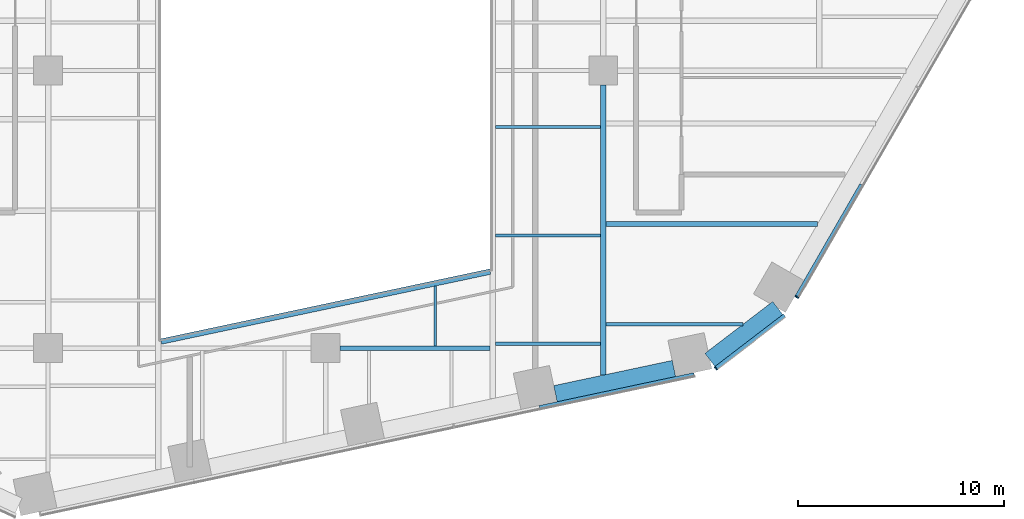
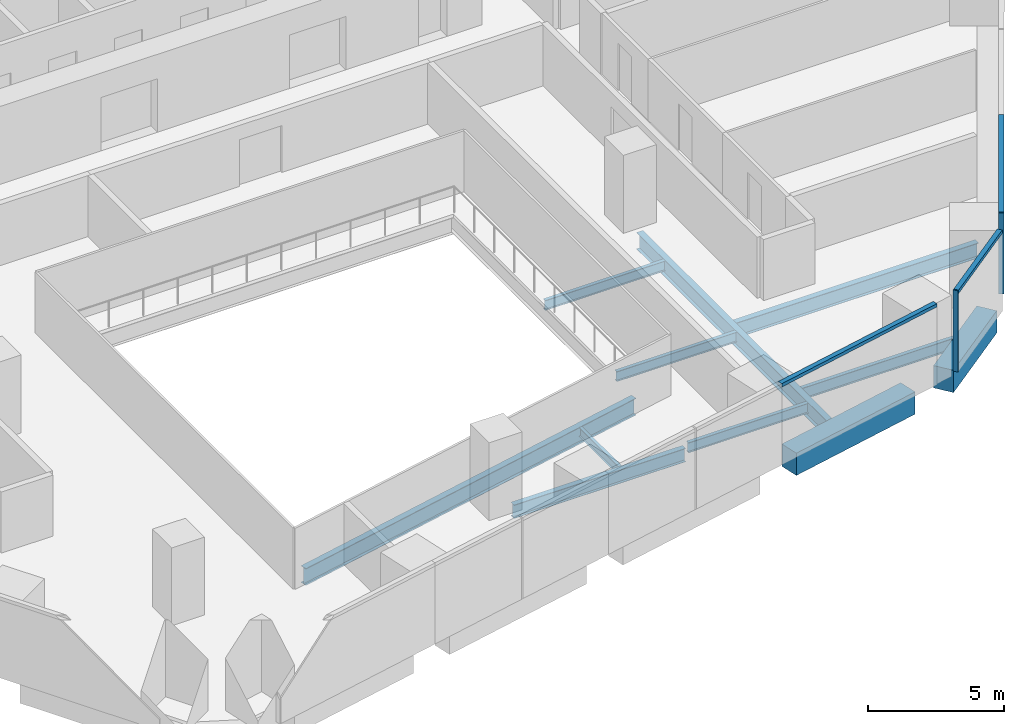
# One storey, part 5 of 20: 11 beams, 5 members, 3 elements without a shape of their own.
"""IFC4 building model written with IfcOpenShell, lengths in metres."""

from ifc_helpers import new_model, si_unit, direction, frame, origin, origin_2d, place, context, subcontext, project, spatial, rectangle, i_section, extrude, material, layer, layer_set, material_profile, profile_set, type_object, element, aggregate, save


model = new_model("IFC4")

# Units and contexts
model_context = context("Model", 3, precision=1e-05, world=origin(), true_north=direction((0.0, 1.0)))
body_context = subcontext(model_context, "Body", "Model", "MODEL_VIEW")
ifc_project = project(units=[si_unit("LENGTHUNIT", "METRE"), si_unit("AREAUNIT", "SQUARE_METRE"), si_unit("VOLUMEUNIT", "CUBIC_METRE"), si_unit("PLANEANGLEUNIT", "RADIAN"), si_unit("MASSUNIT", "GRAM", prefix="KILO")], contexts=[model_context])

# Site, building, storey
site_placement = place(None, origin())
site = spatial("IfcSite", under=ifc_project, at=site_placement, CompositionType="ELEMENT")
building_placement = place(site_placement, origin())
building = spatial("IfcBuilding", under=site, at=building_placement, Name="Isthmus Gate Tower", CompositionType="ELEMENT")
storey_placement = place(building_placement, frame((0.0, 0.0, 65.199951171875)))
storey = spatial("IfcBuildingStorey", under=building, at=storey_placement, Name="L14", CompositionType="ELEMENT", Elevation=65.199951171875)

# Curtain wall, member
ifc_material_1 = material(Name="Aluminium, pale champagne anodised", Category="aluminium")
ifc_layer = layer(ifc_material_1, 0.199951171875)
ifc_layer_set = layer_set([ifc_layer], Name="CW-1 UNITISED CURTAIN WALL 200 DEEP")
curtain_wall_type = type_object("IfcCurtainWallType", Name="CW-1 UNITISED CURTAIN WALL 200 DEEP", PredefinedType="NOTDEFINED", material=ifc_layer_set)
curtain_wall_1_placement = place(storey_placement, origin())
curtain_wall_1 = element("IfcCurtainWall", 1, at=curtain_wall_1_placement, inside=storey, type_object=curtain_wall_type, Name="CW-1 S-SE L14", PredefinedType="NOTDEFINED")
ifc_material_2 = material(Name="Aluminium, pale champagne anodised", Category="aluminium")
ifc_material_profile_1 = material_profile(ifc_material_2, rectangle(XDim=0.06005859375, YDim=0.199951171875, at=origin_2d()), Name="60x200")
ifc_profile_set_1 = profile_set([ifc_material_profile_1], Name="Aluminium, pale champagne anodised")
member_type_1 = type_object("IfcMemberType", Name="CW-1 MULLION 60 X 200", PredefinedType="MULLION", material=ifc_profile_set_1)
member_1_placement = place(storey_placement, frame((18.978759765625, -27.982421875, 0.0), z_axis=(0.0, 0.0, 1.0), x_axis=(0.794188594387, 0.607671355706, 0.0)))
member_1 = element("IfcMember", 2, at=member_1_placement, type_object=member_type_1, Name="CW-1 mullion", PredefinedType="MULLION", context=body_context, shape_type="SweptSolid", body=[
    extrude(rectangle(XDim=0.06005859375, YDim=0.199951171875, at=origin_2d()), origin(), (0.0, 0.0, 1.0), 3.650146484375),
])

curtain_wall_2_placement = place(storey_placement, origin())
curtain_wall_2 = element("IfcCurtainWall", 3, at=curtain_wall_2_placement, inside=storey, type_object=curtain_wall_type, Name="CW-1 SE L14", PredefinedType="NOTDEFINED")
member_2_placement = place(storey_placement, frame((22.91357421875, -24.5126953125, 0.0), z_axis=(0.0, 0.0, 1.0), x_axis=(0.5, 0.866025403784, 0.0)))
member_2 = element("IfcMember", 4, at=member_2_placement, type_object=member_type_1, Name="CW-1 mullion", PredefinedType="MULLION", context=body_context, shape_type="SweptSolid", body=[
    extrude(rectangle(XDim=0.06005859375, YDim=0.199951171875, at=origin_2d()), origin(), (0.0, 0.0, 1.0), 3.650146484375),
])

curtain_wall_3_placement = place(storey_placement, origin())
curtain_wall_3 = element("IfcCurtainWall", 5, at=curtain_wall_3_placement, inside=storey, type_object=curtain_wall_type, Name="CW-1 S L14", PredefinedType="NOTDEFINED")
ifc_material_3 = material(Name="Aluminium, pale champagne anodised", Category="aluminium")
ifc_material_profile_2 = material_profile(ifc_material_3, rectangle(XDim=0.199951171875, YDim=0.14990234375, at=origin_2d()), Name="200x150")
ifc_profile_set_2 = profile_set([ifc_material_profile_2], Name="Aluminium, pale champagne anodised")
member_type_2 = type_object("IfcMemberType", Name="CW-1 TRANSOM 200 X 150", PredefinedType="USERDEFINED", material=ifc_profile_set_2)
member_3_placement = place(storey_placement, frame((10.400146484375, -29.8916015625, 3.574951171875), z_axis=(0.978149085817, 0.207904703929, 0.0), x_axis=(-0.207904703929, 0.978149085817, 0.0)))
member_3 = element("IfcMember", 6, at=member_3_placement, type_object=member_type_2, Name="CW-1 transom", ObjectType="TRANSOM", PredefinedType="USERDEFINED", context=body_context, shape_type="SweptSolid", body=[
    extrude(rectangle(XDim=0.199951171875, YDim=0.14990234375, at=origin_2d()), origin(), (0.0, 0.0, 1.0), 7.689208984375),
])
aggregate(curtain_wall_3, [member_3])

# Member
member_4_placement = place(storey_placement, frame((19.002685546875, -27.96435546875, 3.574951171875), z_axis=(0.794175498212, 0.607688471209, 0.0), x_axis=(-0.607688471209, 0.794175498212, 0.0)))
member_4 = element("IfcMember", 7, at=member_4_placement, type_object=member_type_2, Name="CW-1 transom", ObjectType="TRANSOM", PredefinedType="USERDEFINED", context=body_context, shape_type="SweptSolid", body=[
    extrude(rectangle(XDim=0.199951171875, YDim=0.14990234375, at=origin_2d()), origin(), (0.0, 0.0, 1.0), 4.181396484375),
])

aggregate(curtain_wall_1, [member_1, member_4])

member_5_placement = place(storey_placement, frame((22.928466796875, -24.486572265625, 3.574951171875), z_axis=(0.50002426866, 0.866011391814, 0.0), x_axis=(-0.866011391814, 0.50002426866, 0.0)))
member_5 = element("IfcMember", 8, at=member_5_placement, type_object=member_type_2, Name="CW-1 transom", ObjectType="TRANSOM", PredefinedType="USERDEFINED", context=body_context, shape_type="SweptSolid", body=[
    extrude(rectangle(XDim=0.199951171875, YDim=0.14990234375, at=origin_2d()), origin(), (0.0, 0.0, 1.0), 6.278564453125),
])

aggregate(curtain_wall_2, [member_2, member_5])

# Beams
ifc_material_4 = material(Name="Concrete f'c 70 MPa", Category="concrete")
ifc_material_profile_3 = material_profile(ifc_material_4, rectangle(XDim=0.800048828125, YDim=1.0, at=origin_2d()), Name="RC 800X1000")
ifc_profile_set_3 = profile_set([ifc_material_profile_3], Name="Concrete f'c 70 MPa")
beam_type_1 = type_object("IfcBeamType", Name="RC SPANDREL 800 X 1000", PredefinedType="SPANDREL", material=ifc_profile_set_3)
beam_1_placement = place(storey_placement, frame((21.98681640625, -25.051513671875, -0.5), z_axis=(-0.794205941875, -0.607648682949, 0.0), x_axis=(0.607648682949, -0.794205941875, 0.0)))
element("IfcBeam", 9, at=beam_1_placement, inside=storey, type_object=beam_type_1, Name="str-spandrel-L14-09", PredefinedType="SPANDREL", context=body_context, shape_type="SweptSolid", body=[
    extrude(rectangle(XDim=0.800048828125, YDim=1.0, at=origin_2d()), origin(), (0.0, 0.0, 1.0), 4.15234375),
])
beam_2_placement = place(storey_placement, frame((16.937255859375, -27.990966796875, -0.5), z_axis=(-0.97815168619, -0.207892469327, 0.0), x_axis=(0.207892469327, -0.97815168619, 0.0)))
element("IfcBeam", 10, at=beam_2_placement, inside=storey, type_object=beam_type_1, Name="str-spandrel-L14-10", PredefinedType="SPANDREL", context=body_context, shape_type="SweptSolid", body=[
    extrude(rectangle(XDim=0.800048828125, YDim=1.0, at=origin_2d()), origin(), (0.0, 0.0, 1.0), 5.889404296875),
])
ifc_material_5 = material(Name="Structural steel ASTM A992 Gr 50", Category="steel")
ifc_material_profile_4 = material_profile(ifc_material_5, i_section(OverallWidth=0.1396484375, OverallDepth=0.4033203125, WebThickness=0.00634765625, FlangeThickness=0.010986328125, at=origin_2d()), Name="W16X31")
ifc_profile_set_4 = profile_set([ifc_material_profile_4], Name="Structural steel ASTM A992 Gr 50")
beam_type_2 = type_object("IfcBeamType", Name="STEEL FLOOR BEAM W16X31", PredefinedType="JOIST", material=ifc_profile_set_4)
beam_3_placement = place(storey_placement, frame((5.333251953125, -26.8857421875, -0.3515625), z_axis=(0.0, 1.0, 0.0), x_axis=(-1.0, 0.0, 0.0)))
element("IfcBeam", 11, at=beam_3_placement, inside=storey, type_object=beam_type_2, Name="str-beam-L14-17-00", PredefinedType="JOIST", context=body_context, shape_type="SweptSolid", body=[
    extrude(i_section(OverallWidth=0.1396484375, OverallDepth=0.4033203125, WebThickness=0.00634765625, FlangeThickness=0.010986328125, at=origin_2d()), origin(), (0.0, 0.0, 1.0), 2.903076171875),
])
ifc_material_6 = material(Name="Structural steel ASTM A992 Gr 50", Category="steel")
ifc_material_profile_5 = material_profile(ifc_material_6, i_section(OverallWidth=0.15234375, OverallDepth=0.45068359375, WebThickness=0.0078125, FlangeThickness=0.010986328125, at=origin_2d()), Name="W18X35")
ifc_profile_set_5 = profile_set([ifc_material_profile_5], Name="Structural steel ASTM A992 Gr 50")
beam_type_3 = type_object("IfcBeamType", Name="STEEL FLOOR BEAM W18X35", PredefinedType="JOIST", material=ifc_profile_set_5)
for number, where, z_axis, x_axis, name in (
    (12, (8.263427734375, -26.788818359375, -0.375244140625), (1.0, 0.0, 0.0), (0.0, 1.0, 0.0), "str-beam-L14-22-00"),
    (13, (8.263427734375, -21.51513671875, -0.375244140625), (1.0, 0.0, 0.0), (0.0, 1.0, 0.0), "str-beam-L14-22-01"),
    (14, (8.263427734375, -16.241455078125, -0.375244140625), (1.0, 0.0, 0.0), (0.0, 1.0, 0.0), "str-beam-L14-22-02"),
):
    element("IfcBeam", number, at=place(storey_placement, frame(where, z_axis=z_axis, x_axis=x_axis)), inside=storey, type_object=beam_type_3, Name=name, PredefinedType="JOIST", context=body_context, shape_type="SweptSolid", body=[
        extrude(i_section(OverallWidth=0.15234375, OverallDepth=0.45068359375, WebThickness=0.0078125, FlangeThickness=0.010986328125, at=origin_2d()), origin(), (0.0, 0.0, 1.0), 5.103271484375),
    ])
ifc_material_7 = material(Name="Structural steel ASTM A992 Gr 50", Category="steel")
ifc_material_profile_6 = material_profile(ifc_material_7, i_section(OverallWidth=0.1650390625, OverallDepth=0.52392578125, WebThickness=0.009521484375, FlangeThickness=0.010986328125, at=origin_2d()), Name="W21X44")
ifc_profile_set_6 = profile_set([ifc_material_profile_6], Name="Structural steel ASTM A992 Gr 50")
beam_type_4 = type_object("IfcBeamType", Name="STEEL FLOOR BEAM W21X44", PredefinedType="JOIST", material=ifc_profile_set_6)
beam_4_placement = place(storey_placement, frame((13.63330078125, -25.842529296875, -0.411865234375), z_axis=(1.0, 0.0, 0.0), x_axis=(0.0, 1.0, 0.0)))
element("IfcBeam", 15, at=beam_4_placement, inside=storey, type_object=beam_type_4, Name="str-beam-L14-28-00", PredefinedType="JOIST", context=body_context, shape_type="SweptSolid", body=[
    extrude(i_section(OverallWidth=0.1650390625, OverallDepth=0.52392578125, WebThickness=0.009521484375, FlangeThickness=0.010986328125, at=origin_2d()), origin(), (0.0, 0.0, 1.0), 6.661376953125),
])
ifc_material_8 = material(Name="Structural steel ASTM A992 Gr 50", Category="steel")
ifc_material_profile_7 = material_profile(ifc_material_8, i_section(OverallWidth=0.25390625, OverallDepth=0.679443359375, WebThickness=0.010986328125, FlangeThickness=0.015869140625, at=origin_2d()), Name="W27X84")
ifc_profile_set_7 = profile_set([ifc_material_profile_7], Name="Structural steel ASTM A992 Gr 50")
beam_type_5 = type_object("IfcBeamType", Name="STEEL FLOOR BEAM W27X84", PredefinedType="JOIST", material=ifc_profile_set_7)
beam_5_placement = place(storey_placement, frame((13.63330078125, -20.958740234375, -0.48974609375), z_axis=(1.0, 0.0, 0.0), x_axis=(0.0, 1.0, 0.0)))
element("IfcBeam", 16, at=beam_5_placement, inside=storey, type_object=beam_type_5, Name="str-beam-L14-28-01", PredefinedType="JOIST", context=body_context, shape_type="SweptSolid", body=[
    extrude(i_section(OverallWidth=0.25390625, OverallDepth=0.679443359375, WebThickness=0.010986328125, FlangeThickness=0.015869140625, at=origin_2d()), origin(), (0.0, 0.0, 1.0), 10.292724609375),
])
ifc_material_9 = material(Name="Structural steel ASTM A992 Gr 50", Category="steel")
ifc_material_profile_8 = material_profile(ifc_material_9, i_section(OverallWidth=0.228515625, OverallDepth=0.603271484375, WebThickness=0.010986328125, FlangeThickness=0.014404296875, at=origin_2d()), Name="W24X68")
ifc_profile_set_8 = profile_set([ifc_material_profile_8], Name="Structural steel ASTM A992 Gr 50")
beam_type_6 = type_object("IfcBeamType", Name="STEEL GIRDER W24X68", PredefinedType="BEAM", material=ifc_profile_set_8)
beam_6_placement = place(storey_placement, frame((0.699951171875, -27.0, -0.45166015625), z_axis=(1.0, 0.0, 0.0), x_axis=(0.0, 1.0, 0.0)))
element("IfcBeam", 17, at=beam_6_placement, inside=storey, type_object=beam_type_6, Name="str-girder-L14-04", PredefinedType="BEAM", context=body_context, shape_type="SweptSolid", body=[
    extrude(i_section(OverallWidth=0.228515625, OverallDepth=0.603271484375, WebThickness=0.010986328125, FlangeThickness=0.014404296875, at=origin_2d()), origin(), (0.0, 0.0, 1.0), 7.300048828125),
])
ifc_material_10 = material(Name="Structural steel ASTM A992 Gr 50", Category="steel")
ifc_material_profile_9 = material_profile(ifc_material_10, i_section(OverallWidth=0.2666015625, OverallDepth=0.7587890625, WebThickness=0.014404296875, FlangeThickness=0.01904296875, at=origin_2d()), Name="W30X108")
ifc_profile_set_9 = profile_set([ifc_material_profile_9], Name="Structural steel ASTM A992 Gr 50")
beam_type_7 = type_object("IfcBeamType", Name="STEEL GIRDER W30X108", PredefinedType="BEAM", material=ifc_profile_set_9)
beam_7_placement = place(storey_placement, frame((13.5, -28.3125, -0.529296875), z_axis=(0.0, 1.0, 0.0), x_axis=(-1.0, 0.0, 0.0)))
element("IfcBeam", 18, at=beam_7_placement, inside=storey, type_object=beam_type_7, Name="str-girder-L14-31", PredefinedType="BEAM", context=body_context, shape_type="SweptSolid", body=[
    extrude(i_section(OverallWidth=0.2666015625, OverallDepth=0.7587890625, WebThickness=0.014404296875, FlangeThickness=0.01904296875, at=origin_2d()), origin(), (0.0, 0.0, 1.0), 14.112548828125),
])
ifc_material_11 = material(Name="Structural steel ASTM A992 Gr 50", Category="steel")
ifc_material_profile_10 = material_profile(ifc_material_11, i_section(OverallWidth=0.2666015625, OverallDepth=0.7587890625, WebThickness=0.014404296875, FlangeThickness=0.01904296875, at=origin_2d()), Name="W30X108")
ifc_profile_set_10 = profile_set([ifc_material_profile_10], Name="Structural steel ASTM A992 Gr 50")
beam_type_8 = type_object("IfcBeamType", Name="STEEL TRIMMER W30X108", PredefinedType="BEAM", material=ifc_profile_set_10)
beam_8_placement = place(storey_placement, frame((-8.0, -26.680419921875, -0.529296875), z_axis=(0.978147924985, 0.20791016533, 0.0), x_axis=(-0.20791016533, 0.978147924985, 0.0)))
element("IfcBeam", 19, at=beam_8_placement, inside=storey, type_object=beam_type_8, Name="str-trimmer-L14-03", PredefinedType="BEAM", context=body_context, shape_type="SweptSolid", body=[
    extrude(i_section(OverallWidth=0.2666015625, OverallDepth=0.7587890625, WebThickness=0.014404296875, FlangeThickness=0.01904296875, at=origin_2d()), origin(), (0.0, 0.0, 1.0), 16.357421875),
])

save(model, "model.ifc")
